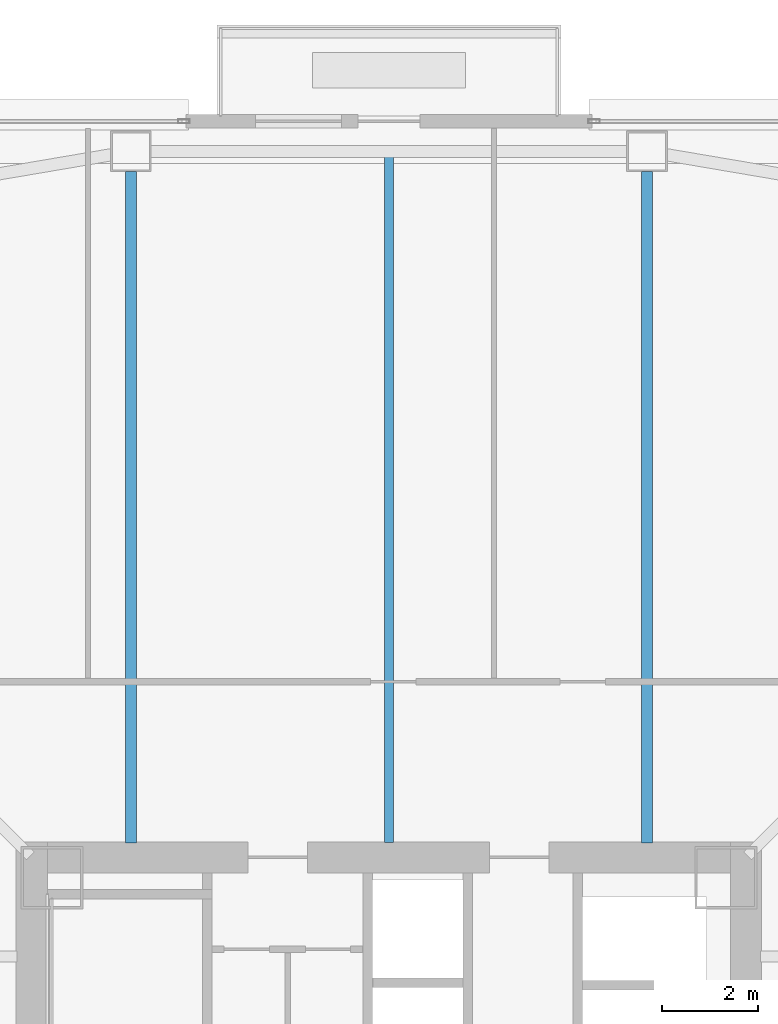
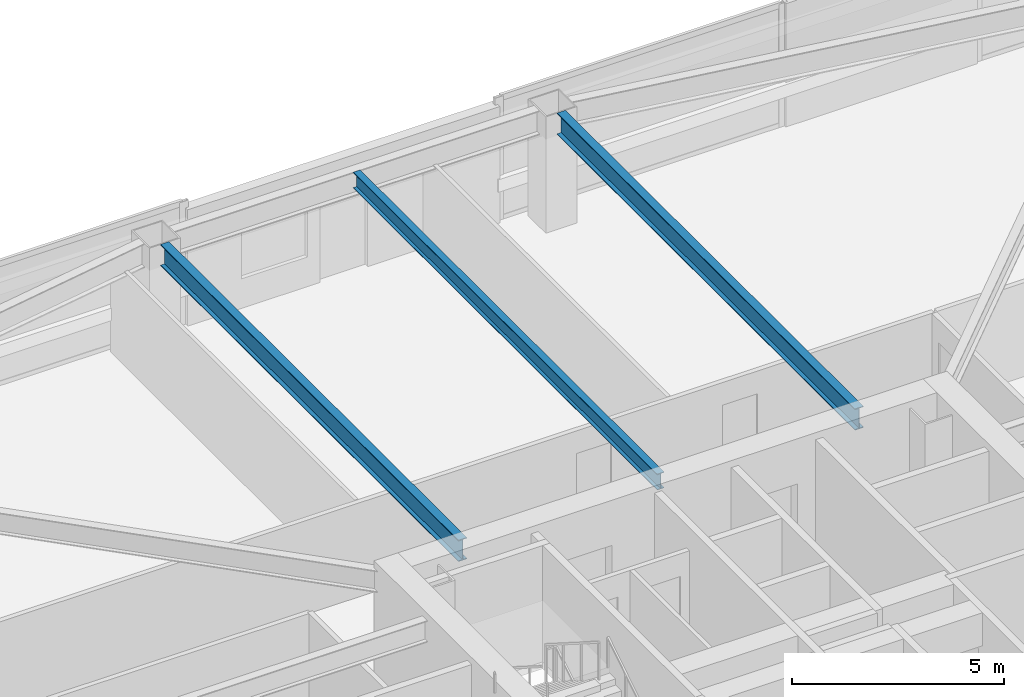
# One storey, part 14 of 48: 3 beams.
"""IFC4 building model written with IfcOpenShell, lengths in metres."""

from ifc_helpers import new_model, si_unit, direction, frame, origin, origin_2d, place, context, subcontext, project, spatial, i_section, extrude, material, material_profile, profile_set, type_object, element, save


model = new_model("IFC4")

# Units and contexts
model_context = context("Model", 3, precision=1e-05, world=origin(), true_north=direction((0.0, 1.0)))
body_context = subcontext(model_context, "Body", "Model", "MODEL_VIEW")
ifc_project = project(units=[si_unit("LENGTHUNIT", "METRE"), si_unit("AREAUNIT", "SQUARE_METRE"), si_unit("VOLUMEUNIT", "CUBIC_METRE"), si_unit("PLANEANGLEUNIT", "RADIAN"), si_unit("MASSUNIT", "GRAM", prefix="KILO")], contexts=[model_context])

# Site, building, storey
site_placement = place(None, origin())
site = spatial("IfcSite", under=ifc_project, at=site_placement, CompositionType="ELEMENT")
building_placement = place(site_placement, origin())
building = spatial("IfcBuilding", under=site, at=building_placement, Name="Tashvorn Skyway Center", CompositionType="ELEMENT")
storey_placement = place(building_placement, frame((0.0, 0.0, 53.0)))
storey = spatial("IfcBuildingStorey", under=building, at=storey_placement, Name="L13", CompositionType="ELEMENT", Elevation=53.0)

# Beams
ifc_material = material(Name="Steel ASTM A992 Grade 50", Category="steel")
ifc_material_profile_1 = material_profile(ifc_material, i_section(OverallWidth=0.22998046875, OverallDepth=0.616943359375, WebThickness=0.01318359375, FlangeThickness=0.022216796875, at=origin_2d()), Name="W24X94")
ifc_profile_set_1 = profile_set([ifc_material_profile_1], Name="Steel ASTM A992 Grade 50")
beam_type_1 = type_object("IfcBeamType", Name="BM-BEAM-W24X94", PredefinedType="BEAM", material=ifc_profile_set_1)
for number, where, z_axis, x_axis, name in (
    (1, (47.39990234375, 53.830078125, 3.04150390625), (0.0, -1.0, 0.0), (1.0, 0.0, 0.0), "Tower 1 L13 Primary Floor Girder FC-N1"),
    (2, (36.60009765625, 53.830078125, 3.04150390625), (0.0, -1.0, 0.0), (1.0, 0.0, 0.0), "Tower 1 L13 Primary Floor Girder FC-N2"),
):
    element("IfcBeam", number, at=place(storey_placement, frame(where, z_axis=z_axis, x_axis=x_axis)), inside=storey, type_object=beam_type_1, Name=name, PredefinedType="BEAM", context=body_context, shape_type="SweptSolid", body=[
        extrude(i_section(OverallWidth=0.22998046875, OverallDepth=0.616943359375, WebThickness=0.01318359375, FlangeThickness=0.022216796875, at=origin_2d()), origin(), (0.0, 0.0, 1.0), 14.050048828125),
    ])
ifc_material_profile_2 = material_profile(ifc_material, i_section(OverallWidth=0.19091796875, OverallDepth=0.4599609375, WebThickness=0.010009765625, FlangeThickness=0.01611328125, at=origin_2d()), Name="W18X55")
ifc_profile_set_2 = profile_set([ifc_material_profile_2], Name="Steel ASTM A992 Grade 50")
beam_type_2 = type_object("IfcBeamType", Name="BM-JOIST-W18X55", PredefinedType="JOIST", material=ifc_profile_set_2)
beam_placement = place(storey_placement, frame((42.0, 39.7900390625, 3.1201171875), z_axis=(0.0, 1.0, 0.0), x_axis=(-1.0, 0.0, 0.0)))
element("IfcBeam", 3, at=beam_placement, inside=storey, type_object=beam_type_2, Name="Tower 1 L13 Secondary Composite Joist JN", PredefinedType="JOIST", context=body_context, shape_type="SweptSolid", body=[
    extrude(i_section(OverallWidth=0.19091796875, OverallDepth=0.4599609375, WebThickness=0.010009765625, FlangeThickness=0.01611328125, at=origin_2d()), origin(), (0.0, 0.0, 1.0), 14.33984375),
])

save(model, "model.ifc")
